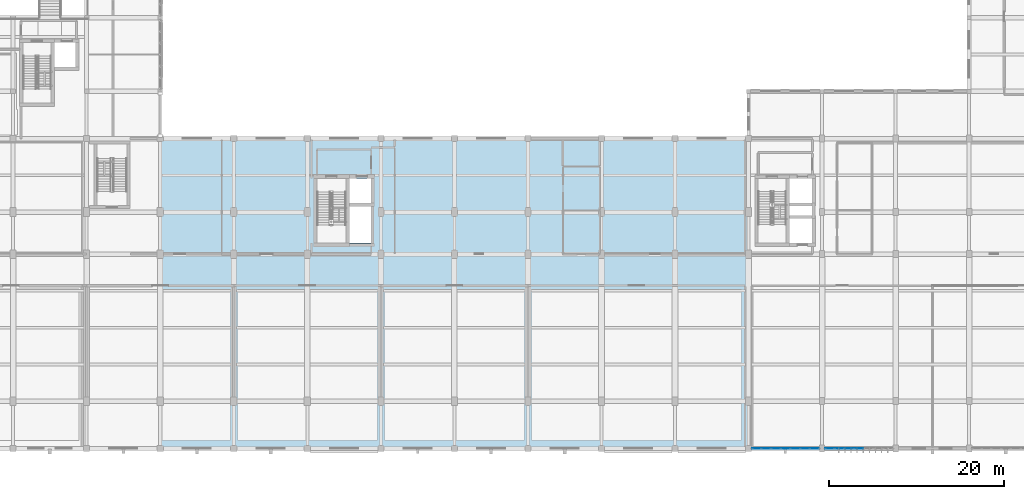
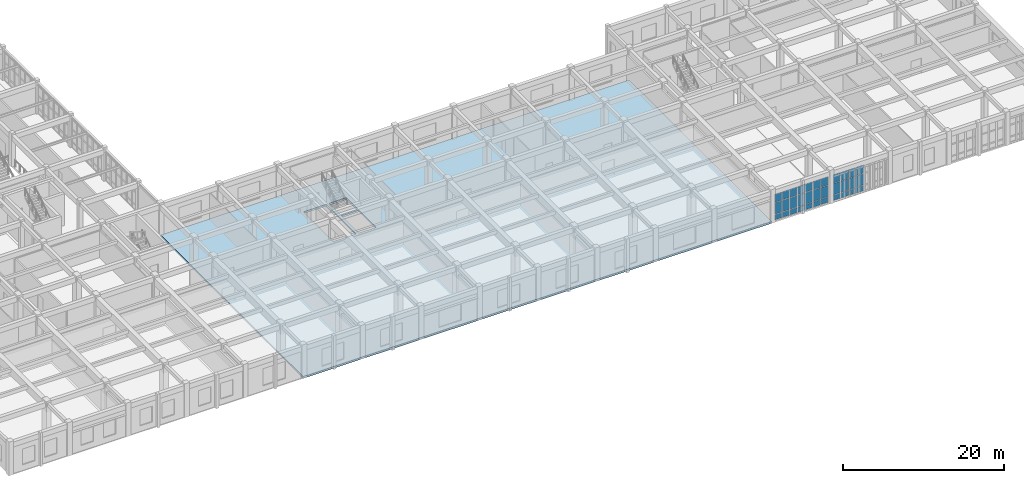
# One storey, part 69 of 106: 33 plates, 1 slab, 2 elements without a shape of their own.
"""IFC4 building model written with IfcOpenShell, lengths in metres."""

from ifc_helpers import new_model, si_unit, direction, frame, origin, origin_2d, place, context, subcontext, project, spatial, polyline, rectangle, outline, extrude, material, layer, layer_set, type_object, element, aggregate, save


model = new_model("IFC4")

# Units and contexts
model_context = context("Model", 3, precision=1e-05, world=origin(), true_north=direction((0.0, 1.0)))
body_context = subcontext(model_context, "Body", "Model", "MODEL_VIEW")
ifc_project = project(units=[si_unit("LENGTHUNIT", "METRE"), si_unit("AREAUNIT", "SQUARE_METRE"), si_unit("VOLUMEUNIT", "CUBIC_METRE"), si_unit("PLANEANGLEUNIT", "RADIAN"), si_unit("MASSUNIT", "GRAM", prefix="KILO")], contexts=[model_context])

# Site, building, storey
site_placement = place(None, origin())
site = spatial("IfcSite", under=ifc_project, at=site_placement, CompositionType="ELEMENT")
building_placement = place(site_placement, origin())
building = spatial("IfcBuilding", under=site, at=building_placement, Name="Krzemoval Escarpment Law Courts", CompositionType="ELEMENT")
storey_placement = place(building_placement, frame((0.0, 0.0, 5.10009765625)))
storey = spatial("IfcBuildingStorey", under=building, at=storey_placement, Name="L01", CompositionType="ELEMENT", Elevation=5.10009765625)

# Curtain wall, plates
ifc_material_1 = material(Name="Aluminium 6063-T6", Category="aluminium")
ifc_layer_1 = layer(ifc_material_1, 0.239990234375)
ifc_layer_set_1 = layer_set([ifc_layer_1], Name="Aluminium 6063-T6")
curtain_wall_type = type_object("IfcCurtainWallType", Name="CW-LIBR-4800", PredefinedType="USERDEFINED", material=ifc_layer_set_1)
curtain_wall_1_placement = place(storey_placement, origin())
curtain_wall_1 = element("IfcCurtainWall", 1, at=curtain_wall_1_placement, inside=storey, type_object=curtain_wall_type, Name="Unitised Curtain Wall FCW-L01-043", ObjectType="UNITISED_CURTAIN_WALL", PredefinedType="USERDEFINED")
ifc_material_2 = material(Name="Triple Glazing IGU", Category="glass")
ifc_layer_2 = layer(ifc_material_2, 0.048095703125)
ifc_layer_set_2 = layer_set([ifc_layer_2], Name="Triple Glazing IGU")
plate_type = type_object("IfcPlateType", Name="CWP-GLZ-48", PredefinedType="CURTAIN_PANEL", material=ifc_layer_set_2)
plate_1_placement = place(storey_placement, frame((121.800048828125, 0.0, 0.074951171875), z_axis=(0.0, 0.0, 1.0), x_axis=(-1.0, 0.0, 0.0)))
plate_1 = element("IfcPlate", 2, at=plate_1_placement, type_object=plate_type, Name="FCW-L01-043 panel 4.1", PredefinedType="CURTAIN_PANEL", context=body_context, shape_type="SweptSolid", body=[
    extrude(rectangle(XDim=1.039306640625, YDim=0.048095703125, at=origin_2d()), origin(), (0.0, 0.0, 1.0), 0.78759765625),
])
plate_2_placement = place(storey_placement, frame((121.800048828125, 0.0, 0.937255859375), z_axis=(0.0, 0.0, 1.0), x_axis=(-1.0, 0.0, 0.0)))
plate_2 = element("IfcPlate", 3, at=plate_2_placement, type_object=plate_type, Name="FCW-L01-043 panel 4.2", PredefinedType="CURTAIN_PANEL", context=body_context, shape_type="SweptSolid", body=[
    extrude(rectangle(XDim=1.039306640625, YDim=0.048095703125, at=origin_2d()), origin(), (0.0, 0.0, 1.0), 1.72509765625),
])
plate_3_placement = place(storey_placement, frame((121.800048828125, 0.0, 2.7373046875), z_axis=(0.0, 0.0, 1.0), x_axis=(-1.0, 0.0, 0.0)))
plate_3 = element("IfcPlate", 4, at=plate_3_placement, type_object=plate_type, Name="FCW-L01-043 panel 4.3", PredefinedType="CURTAIN_PANEL", context=body_context, shape_type="SweptSolid", body=[
    extrude(rectangle(XDim=1.039306640625, YDim=0.048095703125, at=origin_2d()), origin(), (0.0, 0.0, 1.0), 1.257568359375),
])
plate_4_placement = place(storey_placement, frame((120.685791015625, 0.0, 0.074951171875), z_axis=(0.0, 0.0, 1.0), x_axis=(-1.0, 0.0, 0.0)))
plate_4 = element("IfcPlate", 5, at=plate_4_placement, type_object=plate_type, Name="FCW-L01-043 panel 5.1", PredefinedType="CURTAIN_PANEL", context=body_context, shape_type="SweptSolid", body=[
    extrude(rectangle(XDim=1.039306640625, YDim=0.048095703125, at=origin_2d()), origin(), (0.0, 0.0, 1.0), 0.78759765625),
])
plate_5_placement = place(storey_placement, frame((120.685791015625, 0.0, 0.937255859375), z_axis=(0.0, 0.0, 1.0), x_axis=(-1.0, 0.0, 0.0)))
plate_5 = element("IfcPlate", 6, at=plate_5_placement, type_object=plate_type, Name="FCW-L01-043 panel 5.2", PredefinedType="CURTAIN_PANEL", context=body_context, shape_type="SweptSolid", body=[
    extrude(rectangle(XDim=1.039306640625, YDim=0.048095703125, at=origin_2d()), origin(), (0.0, 0.0, 1.0), 1.72509765625),
])
plate_6_placement = place(storey_placement, frame((120.685791015625, 0.0, 2.7373046875), z_axis=(0.0, 0.0, 1.0), x_axis=(-1.0, 0.0, 0.0)))
plate_6 = element("IfcPlate", 7, at=plate_6_placement, type_object=plate_type, Name="FCW-L01-043 panel 5.3", PredefinedType="CURTAIN_PANEL", context=body_context, shape_type="SweptSolid", body=[
    extrude(rectangle(XDim=1.039306640625, YDim=0.048095703125, at=origin_2d()), origin(), (0.0, 0.0, 1.0), 1.257568359375),
])
plate_7_placement = place(storey_placement, frame((119.571533203125, 0.0, 0.074951171875), z_axis=(0.0, 0.0, 1.0), x_axis=(-1.0, 0.0, 0.0)))
plate_7 = element("IfcPlate", 8, at=plate_7_placement, type_object=plate_type, Name="FCW-L01-043 panel 6.1", PredefinedType="CURTAIN_PANEL", context=body_context, shape_type="SweptSolid", body=[
    extrude(rectangle(XDim=1.039306640625, YDim=0.048095703125, at=origin_2d()), origin(), (0.0, 0.0, 1.0), 0.78759765625),
])
plate_8_placement = place(storey_placement, frame((119.571533203125, 0.0, 0.937255859375), z_axis=(0.0, 0.0, 1.0), x_axis=(-1.0, 0.0, 0.0)))
plate_8 = element("IfcPlate", 9, at=plate_8_placement, type_object=plate_type, Name="FCW-L01-043 panel 6.2", PredefinedType="CURTAIN_PANEL", context=body_context, shape_type="SweptSolid", body=[
    extrude(rectangle(XDim=1.039306640625, YDim=0.048095703125, at=origin_2d()), origin(), (0.0, 0.0, 1.0), 1.72509765625),
])
plate_9_placement = place(storey_placement, frame((119.571533203125, 0.0, 2.7373046875), z_axis=(0.0, 0.0, 1.0), x_axis=(-1.0, 0.0, 0.0)))
plate_9 = element("IfcPlate", 10, at=plate_9_placement, type_object=plate_type, Name="FCW-L01-043 panel 6.3", PredefinedType="CURTAIN_PANEL", context=body_context, shape_type="SweptSolid", body=[
    extrude(rectangle(XDim=1.039306640625, YDim=0.048095703125, at=origin_2d()), origin(), (0.0, 0.0, 1.0), 1.257568359375),
])
plate_10_placement = place(storey_placement, frame((118.475830078125, 0.0, 0.074951171875), z_axis=(0.0, 0.0, 1.0), x_axis=(-1.0, 0.0, 0.0)))
plate_10 = element("IfcPlate", 11, at=plate_10_placement, type_object=plate_type, Name="FCW-L01-043 panel 7.1", PredefinedType="CURTAIN_PANEL", context=body_context, shape_type="SweptSolid", body=[
    extrude(rectangle(XDim=1.001708984375, YDim=0.048095703125, at=origin_2d()), origin(), (0.0, 0.0, 1.0), 0.78759765625),
])
plate_11_placement = place(storey_placement, frame((118.475830078125, 0.0, 0.937255859375), z_axis=(0.0, 0.0, 1.0), x_axis=(-1.0, 0.0, 0.0)))
plate_11 = element("IfcPlate", 12, at=plate_11_placement, type_object=plate_type, Name="FCW-L01-043 panel 7.2", PredefinedType="CURTAIN_PANEL", context=body_context, shape_type="SweptSolid", body=[
    extrude(rectangle(XDim=1.001708984375, YDim=0.048095703125, at=origin_2d()), origin(), (0.0, 0.0, 1.0), 1.72509765625),
])
plate_12_placement = place(storey_placement, frame((118.475830078125, 0.0, 2.7373046875), z_axis=(0.0, 0.0, 1.0), x_axis=(-1.0, 0.0, 0.0)))
plate_12 = element("IfcPlate", 13, at=plate_12_placement, type_object=plate_type, Name="FCW-L01-043 panel 7.3", PredefinedType="CURTAIN_PANEL", context=body_context, shape_type="SweptSolid", body=[
    extrude(rectangle(XDim=1.001708984375, YDim=0.048095703125, at=origin_2d()), origin(), (0.0, 0.0, 1.0), 1.257568359375),
])
aggregate(curtain_wall_1, [plate_1, plate_2, plate_3, plate_4, plate_5, plate_6, plate_7, plate_8, plate_9, plate_10, plate_11, plate_12])

curtain_wall_2_placement = place(storey_placement, origin())
curtain_wall_2 = element("IfcCurtainWall", 14, at=curtain_wall_2_placement, inside=storey, type_object=curtain_wall_type, Name="Unitised Curtain Wall FCW-L01-044", ObjectType="UNITISED_CURTAIN_WALL", PredefinedType="USERDEFINED")
plate_13_placement = place(storey_placement, frame((116.727783203125, 0.0, 0.074951171875), z_axis=(0.0, 0.0, 1.0), x_axis=(-1.0, 0.0, 0.0)))
plate_13 = element("IfcPlate", 15, at=plate_13_placement, type_object=plate_type, Name="FCW-L01-044 panel 1.1", PredefinedType="CURTAIN_PANEL", context=body_context, shape_type="SweptSolid", body=[
    extrude(rectangle(XDim=0.99462890625, YDim=0.048095703125, at=origin_2d()), origin(), (0.0, 0.0, 1.0), 0.78759765625),
])
plate_14_placement = place(storey_placement, frame((116.727783203125, 0.0, 0.937255859375), z_axis=(0.0, 0.0, 1.0), x_axis=(-1.0, 0.0, 0.0)))
plate_14 = element("IfcPlate", 16, at=plate_14_placement, type_object=plate_type, Name="FCW-L01-044 panel 1.2", PredefinedType="CURTAIN_PANEL", context=body_context, shape_type="SweptSolid", body=[
    extrude(rectangle(XDim=0.99462890625, YDim=0.048095703125, at=origin_2d()), origin(), (0.0, 0.0, 1.0), 1.72509765625),
])
plate_15_placement = place(storey_placement, frame((116.727783203125, 0.0, 2.7373046875), z_axis=(0.0, 0.0, 1.0), x_axis=(-1.0, 0.0, 0.0)))
plate_15 = element("IfcPlate", 17, at=plate_15_placement, type_object=plate_type, Name="FCW-L01-044 panel 1.3", PredefinedType="CURTAIN_PANEL", context=body_context, shape_type="SweptSolid", body=[
    extrude(rectangle(XDim=0.99462890625, YDim=0.048095703125, at=origin_2d()), origin(), (0.0, 0.0, 1.0), 1.257568359375),
])
plate_16_placement = place(storey_placement, frame((115.639404296875, 0.0, 0.074951171875), z_axis=(0.0, 0.0, 1.0), x_axis=(-1.0, 0.0, 0.0)))
plate_16 = element("IfcPlate", 18, at=plate_16_placement, type_object=plate_type, Name="FCW-L01-044 panel 2.1", PredefinedType="CURTAIN_PANEL", context=body_context, shape_type="SweptSolid", body=[
    extrude(rectangle(XDim=1.0322265625, YDim=0.048095703125, at=origin_2d()), origin(), (0.0, 0.0, 1.0), 0.78759765625),
])
plate_17_placement = place(storey_placement, frame((115.639404296875, 0.0, 0.937255859375), z_axis=(0.0, 0.0, 1.0), x_axis=(-1.0, 0.0, 0.0)))
plate_17 = element("IfcPlate", 19, at=plate_17_placement, type_object=plate_type, Name="FCW-L01-044 panel 2.2", PredefinedType="CURTAIN_PANEL", context=body_context, shape_type="SweptSolid", body=[
    extrude(rectangle(XDim=1.0322265625, YDim=0.048095703125, at=origin_2d()), origin(), (0.0, 0.0, 1.0), 1.72509765625),
])
plate_18_placement = place(storey_placement, frame((115.639404296875, 0.0, 2.7373046875), z_axis=(0.0, 0.0, 1.0), x_axis=(-1.0, 0.0, 0.0)))
plate_18 = element("IfcPlate", 20, at=plate_18_placement, type_object=plate_type, Name="FCW-L01-044 panel 2.3", PredefinedType="CURTAIN_PANEL", context=body_context, shape_type="SweptSolid", body=[
    extrude(rectangle(XDim=1.0322265625, YDim=0.048095703125, at=origin_2d()), origin(), (0.0, 0.0, 1.0), 1.257568359375),
])
plate_19_placement = place(storey_placement, frame((114.5322265625, 0.0, 0.074951171875), z_axis=(0.0, 0.0, 1.0), x_axis=(-1.0, 0.0, 0.0)))
plate_19 = element("IfcPlate", 21, at=plate_19_placement, type_object=plate_type, Name="FCW-L01-044 panel 3.1", PredefinedType="CURTAIN_PANEL", context=body_context, shape_type="SweptSolid", body=[
    extrude(rectangle(XDim=1.0322265625, YDim=0.048095703125, at=origin_2d()), origin(), (0.0, 0.0, 1.0), 0.78759765625),
])
plate_20_placement = place(storey_placement, frame((114.5322265625, 0.0, 0.937255859375), z_axis=(0.0, 0.0, 1.0), x_axis=(-1.0, 0.0, 0.0)))
plate_20 = element("IfcPlate", 22, at=plate_20_placement, type_object=plate_type, Name="FCW-L01-044 panel 3.2", PredefinedType="CURTAIN_PANEL", context=body_context, shape_type="SweptSolid", body=[
    extrude(rectangle(XDim=1.0322265625, YDim=0.048095703125, at=origin_2d()), origin(), (0.0, 0.0, 1.0), 1.72509765625),
])
plate_21_placement = place(storey_placement, frame((114.5322265625, 0.0, 2.7373046875), z_axis=(0.0, 0.0, 1.0), x_axis=(-1.0, 0.0, 0.0)))
plate_21 = element("IfcPlate", 23, at=plate_21_placement, type_object=plate_type, Name="FCW-L01-044 panel 3.3", PredefinedType="CURTAIN_PANEL", context=body_context, shape_type="SweptSolid", body=[
    extrude(rectangle(XDim=1.0322265625, YDim=0.048095703125, at=origin_2d()), origin(), (0.0, 0.0, 1.0), 1.257568359375),
])
plate_22_placement = place(storey_placement, frame((113.425048828125, 0.0, 0.074951171875), z_axis=(0.0, 0.0, 1.0), x_axis=(-1.0, 0.0, 0.0)))
plate_22 = element("IfcPlate", 24, at=plate_22_placement, type_object=plate_type, Name="FCW-L01-044 panel 4.1", PredefinedType="CURTAIN_PANEL", context=body_context, shape_type="SweptSolid", body=[
    extrude(rectangle(XDim=1.0322265625, YDim=0.048095703125, at=origin_2d()), origin(), (0.0, 0.0, 1.0), 0.78759765625),
])
plate_23_placement = place(storey_placement, frame((113.425048828125, 0.0, 0.937255859375), z_axis=(0.0, 0.0, 1.0), x_axis=(-1.0, 0.0, 0.0)))
plate_23 = element("IfcPlate", 25, at=plate_23_placement, type_object=plate_type, Name="FCW-L01-044 panel 4.2", PredefinedType="CURTAIN_PANEL", context=body_context, shape_type="SweptSolid", body=[
    extrude(rectangle(XDim=1.0322265625, YDim=0.048095703125, at=origin_2d()), origin(), (0.0, 0.0, 1.0), 1.72509765625),
])
plate_24_placement = place(storey_placement, frame((113.425048828125, 0.0, 2.7373046875), z_axis=(0.0, 0.0, 1.0), x_axis=(-1.0, 0.0, 0.0)))
plate_24 = element("IfcPlate", 26, at=plate_24_placement, type_object=plate_type, Name="FCW-L01-044 panel 4.3", PredefinedType="CURTAIN_PANEL", context=body_context, shape_type="SweptSolid", body=[
    extrude(rectangle(XDim=1.0322265625, YDim=0.048095703125, at=origin_2d()), origin(), (0.0, 0.0, 1.0), 1.257568359375),
])
plate_25_placement = place(storey_placement, frame((112.31787109375, 0.0, 0.074951171875), z_axis=(0.0, 0.0, 1.0), x_axis=(-1.0, 0.0, 0.0)))
plate_25 = element("IfcPlate", 27, at=plate_25_placement, type_object=plate_type, Name="FCW-L01-044 panel 5.1", PredefinedType="CURTAIN_PANEL", context=body_context, shape_type="SweptSolid", body=[
    extrude(rectangle(XDim=1.0322265625, YDim=0.048095703125, at=origin_2d()), origin(), (0.0, 0.0, 1.0), 0.78759765625),
])
plate_26_placement = place(storey_placement, frame((112.31787109375, 0.0, 0.937255859375), z_axis=(0.0, 0.0, 1.0), x_axis=(-1.0, 0.0, 0.0)))
plate_26 = element("IfcPlate", 28, at=plate_26_placement, type_object=plate_type, Name="FCW-L01-044 panel 5.2", PredefinedType="CURTAIN_PANEL", context=body_context, shape_type="SweptSolid", body=[
    extrude(rectangle(XDim=1.0322265625, YDim=0.048095703125, at=origin_2d()), origin(), (0.0, 0.0, 1.0), 1.72509765625),
])
plate_27_placement = place(storey_placement, frame((112.31787109375, 0.0, 2.7373046875), z_axis=(0.0, 0.0, 1.0), x_axis=(-1.0, 0.0, 0.0)))
plate_27 = element("IfcPlate", 29, at=plate_27_placement, type_object=plate_type, Name="FCW-L01-044 panel 5.3", PredefinedType="CURTAIN_PANEL", context=body_context, shape_type="SweptSolid", body=[
    extrude(rectangle(XDim=1.0322265625, YDim=0.048095703125, at=origin_2d()), origin(), (0.0, 0.0, 1.0), 1.257568359375),
])
plate_28_placement = place(storey_placement, frame((111.210693359375, 0.0, 0.074951171875), z_axis=(0.0, 0.0, 1.0), x_axis=(-1.0, 0.0, 0.0)))
plate_28 = element("IfcPlate", 30, at=plate_28_placement, type_object=plate_type, Name="FCW-L01-044 panel 6.1", PredefinedType="CURTAIN_PANEL", context=body_context, shape_type="SweptSolid", body=[
    extrude(rectangle(XDim=1.0322265625, YDim=0.048095703125, at=origin_2d()), origin(), (0.0, 0.0, 1.0), 0.78759765625),
])
plate_29_placement = place(storey_placement, frame((111.210693359375, 0.0, 0.937255859375), z_axis=(0.0, 0.0, 1.0), x_axis=(-1.0, 0.0, 0.0)))
plate_29 = element("IfcPlate", 31, at=plate_29_placement, type_object=plate_type, Name="FCW-L01-044 panel 6.2", PredefinedType="CURTAIN_PANEL", context=body_context, shape_type="SweptSolid", body=[
    extrude(rectangle(XDim=1.0322265625, YDim=0.048095703125, at=origin_2d()), origin(), (0.0, 0.0, 1.0), 1.72509765625),
])
plate_30_placement = place(storey_placement, frame((111.210693359375, 0.0, 2.7373046875), z_axis=(0.0, 0.0, 1.0), x_axis=(-1.0, 0.0, 0.0)))
plate_30 = element("IfcPlate", 32, at=plate_30_placement, type_object=plate_type, Name="FCW-L01-044 panel 6.3", PredefinedType="CURTAIN_PANEL", context=body_context, shape_type="SweptSolid", body=[
    extrude(rectangle(XDim=1.0322265625, YDim=0.048095703125, at=origin_2d()), origin(), (0.0, 0.0, 1.0), 1.257568359375),
])
plate_31_placement = place(storey_placement, frame((110.122314453125, 0.0, 0.074951171875), z_axis=(0.0, 0.0, 1.0), x_axis=(-1.0, 0.0, 0.0)))
plate_31 = element("IfcPlate", 33, at=plate_31_placement, type_object=plate_type, Name="FCW-L01-044 panel 7.1", PredefinedType="CURTAIN_PANEL", context=body_context, shape_type="SweptSolid", body=[
    extrude(rectangle(XDim=0.99462890625, YDim=0.048095703125, at=origin_2d()), origin(), (0.0, 0.0, 1.0), 0.78759765625),
])
plate_32_placement = place(storey_placement, frame((110.122314453125, 0.0, 0.937255859375), z_axis=(0.0, 0.0, 1.0), x_axis=(-1.0, 0.0, 0.0)))
plate_32 = element("IfcPlate", 34, at=plate_32_placement, type_object=plate_type, Name="FCW-L01-044 panel 7.2", PredefinedType="CURTAIN_PANEL", context=body_context, shape_type="SweptSolid", body=[
    extrude(rectangle(XDim=0.99462890625, YDim=0.048095703125, at=origin_2d()), origin(), (0.0, 0.0, 1.0), 1.72509765625),
])
plate_33_placement = place(storey_placement, frame((110.122314453125, 0.0, 2.7373046875), z_axis=(0.0, 0.0, 1.0), x_axis=(-1.0, 0.0, 0.0)))
plate_33 = element("IfcPlate", 35, at=plate_33_placement, type_object=plate_type, Name="FCW-L01-044 panel 7.3", PredefinedType="CURTAIN_PANEL", context=body_context, shape_type="SweptSolid", body=[
    extrude(rectangle(XDim=0.99462890625, YDim=0.048095703125, at=origin_2d()), origin(), (0.0, 0.0, 1.0), 1.257568359375),
])
aggregate(curtain_wall_2, [plate_13, plate_14, plate_15, plate_16, plate_17, plate_18, plate_19, plate_20, plate_21, plate_22, plate_23, plate_24, plate_25, plate_26, plate_27, plate_28, plate_29, plate_30, plate_31, plate_32, plate_33])

# Slab
ifc_material_3 = material(Name="Concrete C50/60", Category="concrete")
ifc_layer_3 = layer(ifc_material_3, 0.280029296875)
ifc_layer_set_3 = layer_set([ifc_layer_3], Name="Concrete C50/60")
slab_type = type_object("IfcSlabType", Name="SL-PT-280", PredefinedType="FLOOR", material=ifc_layer_set_3)
slab_placement = place(storey_placement, frame((0.0, 0.0, -0.280029296875)))
element("IfcSlab", 36, at=slab_placement, inside=storey, type_object=slab_type, Name="Floor Slab SL-L01-V2-019", PredefinedType="FLOOR", context=body_context, shape_type="SweptSolid", body=[
    extrude(outline(polyline([(109.199951171875, 35.39990234375), (109.199951171875, 0.0), (42.0400390625, 0.0), (42.0400390625, 35.39990234375), (109.199951171875, 35.39990234375)]), holes=[polyline([(66.050048828125, 28.050048828125), (66.050048828125, 30.85009765625), (63.550048828125, 30.85009765625), (63.550048828125, 28.050048828125), (66.050048828125, 28.050048828125)]), polyline([(63.550048828125, 23.449951171875), (66.050048828125, 23.449951171875), (66.050048828125, 27.75), (63.550048828125, 27.75), (63.550048828125, 23.449951171875)]), polyline([(59.89990234375, 30.85009765625), (59.89990234375, 23.449951171875), (63.199951171875, 23.449951171875), (63.199951171875, 30.85009765625), (59.89990234375, 30.85009765625)])]), origin(), (0.0, 0.0, 1.0), 0.280029296875),
])

save(model, "model.ifc")
